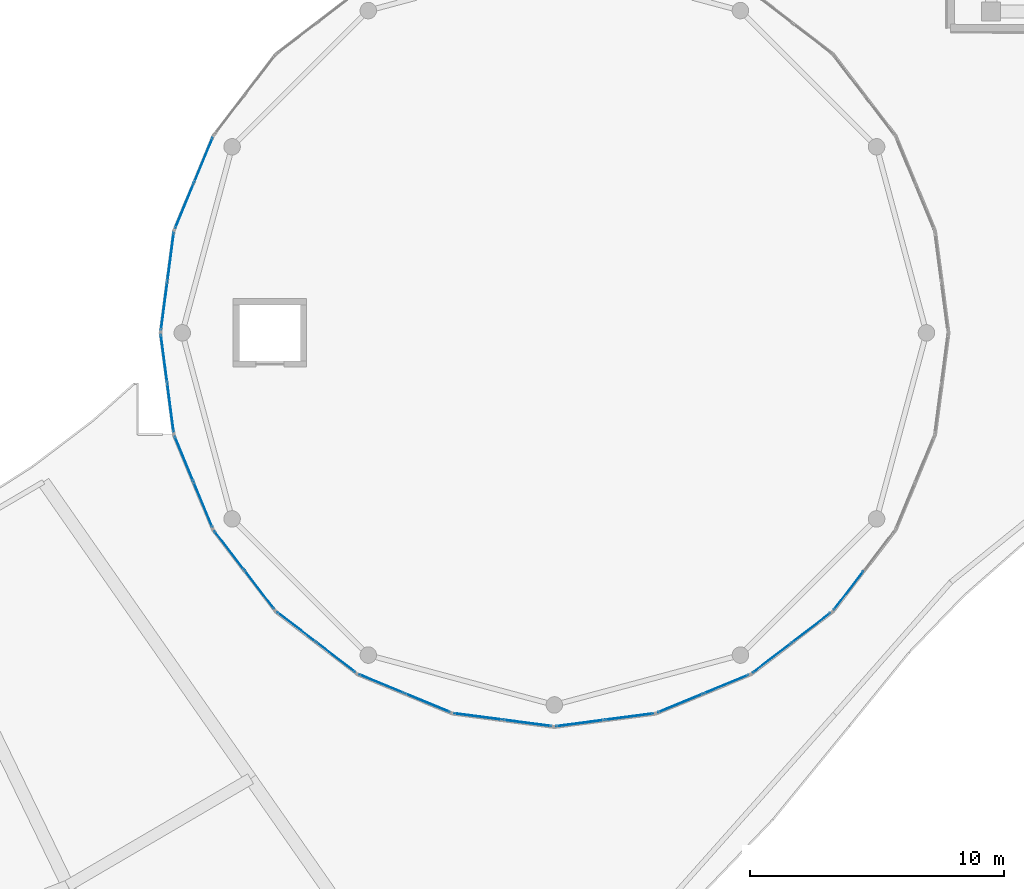
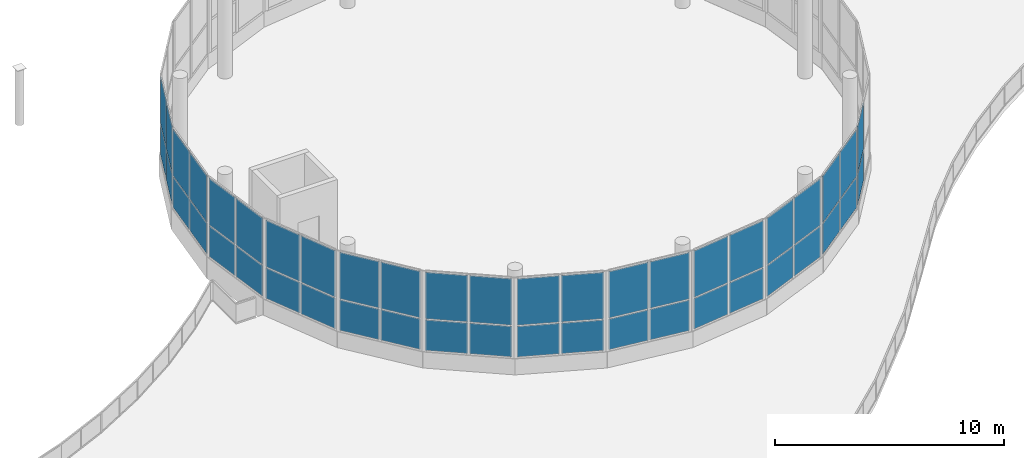
# One storey, part 73 of 101: 46 plates, 12 elements without a shape of their own.
"""IFC4 building model written with IfcOpenShell, lengths in metres."""

from ifc_helpers import new_model, si_unit, direction, frame, origin, origin_2d, place, context, subcontext, project, spatial, rectangle, extrude, material, layer, layer_set, type_object, element, aggregate, save


model = new_model("IFC4")

# Units and contexts
model_context = context("Model", 3, precision=1e-05, world=origin(), true_north=direction((0.0, 1.0)))
body_context = subcontext(model_context, "Body", "Model", "MODEL_VIEW")
ifc_project = project(units=[si_unit("LENGTHUNIT", "METRE"), si_unit("AREAUNIT", "SQUARE_METRE"), si_unit("VOLUMEUNIT", "CUBIC_METRE"), si_unit("PLANEANGLEUNIT", "RADIAN"), si_unit("MASSUNIT", "GRAM", prefix="KILO")], contexts=[model_context])

# Site, building, storey
site_placement = place(None, origin())
site = spatial("IfcSite", under=ifc_project, at=site_placement, CompositionType="ELEMENT")
building_placement = place(site_placement, origin())
building = spatial("IfcBuilding", under=site, at=building_placement, Name="Selatvlak General Hospital", CompositionType="ELEMENT")
storey_placement = place(building_placement, frame((0.0, 0.0, 19.199951171875)))
storey = spatial("IfcBuildingStorey", under=building, at=storey_placement, Name="L04", CompositionType="ELEMENT", Elevation=19.199951171875)

# Curtain wall, plates
ifc_material = material(Name="Solar-control Low-E double glazing", Category="glass")
curtain_wall_type_1 = type_object("IfcCurtainWallType", Name="CW-CW-04", PredefinedType="USERDEFINED", material=ifc_material)
curtain_wall_1_placement = place(storey_placement, origin())
curtain_wall_1 = element("IfcCurtainWall", 1, at=curtain_wall_1_placement, inside=storey, type_object=curtain_wall_type_1, Name="Glazed facade curtain wall CW-L04-0521", ObjectType="STICK GLAZING WALL", PredefinedType="USERDEFINED")
ifc_layer = layer(ifc_material, 0.028076171875, Name="Solar-control Low-E double glazing", Category="glass")
ifc_layer_set = layer_set([ifc_layer], Name="Solar-control Low-E double glazing")
plate_type = type_object("IfcPlateType", Name="CWP-01", PredefinedType="CURTAIN_PANEL", material=ifc_layer_set)
plate_1_placement = place(storey_placement, frame((109.583740234375, 43.852294921875, 0.9150390625), z_axis=(0.0, 0.0, 1.0), x_axis=(-0.608918417743, -0.793232853917, 0.0)))
plate_1 = element("IfcPlate", 2, at=plate_1_placement, type_object=plate_type, Name="CW-04 panel 2.1", PredefinedType="CURTAIN_PANEL", context=body_context, shape_type="SweptSolid", body=[
    extrude(rectangle(XDim=1.885498046875, YDim=0.028076171875, at=origin_2d()), origin(), (0.0, 0.0, 1.0), 1.62744140625),
])
plate_2_placement = place(storey_placement, frame((109.583740234375, 43.852294921875, 2.607421875), z_axis=(0.0, 0.0, 1.0), x_axis=(-0.608918417743, -0.793232853917, 0.0)))
plate_2 = element("IfcPlate", 3, at=plate_2_placement, type_object=plate_type, Name="CW-04 panel 2.2", PredefinedType="CURTAIN_PANEL", context=body_context, shape_type="SweptSolid", body=[
    extrude(rectangle(XDim=1.885498046875, YDim=0.028076171875, at=origin_2d()), origin(), (0.0, 0.0, 1.0), 2.4775390625),
])
aggregate(curtain_wall_1, [plate_1, plate_2])

curtain_wall_type_2 = type_object("IfcCurtainWallType", Name="CW-CW-05", PredefinedType="USERDEFINED", material=ifc_material)
curtain_wall_2_placement = place(storey_placement, origin())
curtain_wall_2 = element("IfcCurtainWall", 4, at=curtain_wall_2_placement, inside=storey, type_object=curtain_wall_type_2, Name="Glazed facade curtain wall CW-L04-0522", ObjectType="STICK GLAZING WALL", PredefinedType="USERDEFINED")
plate_3_placement = place(storey_placement, frame((108.109619140625, 42.388427734375, 0.9150390625), z_axis=(0.0, 0.0, 1.0), x_axis=(-0.793232853917, -0.608918417743, 0.0)))
plate_3 = element("IfcPlate", 5, at=plate_3_placement, type_object=plate_type, Name="CW-05 panel 1.1", PredefinedType="CURTAIN_PANEL", context=body_context, shape_type="SweptSolid", body=[
    extrude(rectangle(XDim=1.885498046875, YDim=0.028076171875, at=origin_2d()), origin(), (0.0, 0.0, 1.0), 1.62744140625),
])
plate_4_placement = place(storey_placement, frame((108.109619140625, 42.388427734375, 2.607421875), z_axis=(0.0, 0.0, 1.0), x_axis=(-0.793232853917, -0.608918417743, 0.0)))
plate_4 = element("IfcPlate", 6, at=plate_4_placement, type_object=plate_type, Name="CW-05 panel 1.2", PredefinedType="CURTAIN_PANEL", context=body_context, shape_type="SweptSolid", body=[
    extrude(rectangle(XDim=1.885498046875, YDim=0.028076171875, at=origin_2d()), origin(), (0.0, 0.0, 1.0), 2.4775390625),
])
plate_5_placement = place(storey_placement, frame((106.5625, 41.20068359375, 0.9150390625), z_axis=(0.0, 0.0, 1.0), x_axis=(-0.793232853917, -0.608918417743, 0.0)))
plate_5 = element("IfcPlate", 7, at=plate_5_placement, type_object=plate_type, Name="CW-05 panel 2.1", PredefinedType="CURTAIN_PANEL", context=body_context, shape_type="SweptSolid", body=[
    extrude(rectangle(XDim=1.885498046875, YDim=0.028076171875, at=origin_2d()), origin(), (0.0, 0.0, 1.0), 1.62744140625),
])
plate_6_placement = place(storey_placement, frame((106.5625, 41.20068359375, 2.607421875), z_axis=(0.0, 0.0, 1.0), x_axis=(-0.793232853917, -0.608918417743, 0.0)))
plate_6 = element("IfcPlate", 8, at=plate_6_placement, type_object=plate_type, Name="CW-05 panel 2.2", PredefinedType="CURTAIN_PANEL", context=body_context, shape_type="SweptSolid", body=[
    extrude(rectangle(XDim=1.885498046875, YDim=0.028076171875, at=origin_2d()), origin(), (0.0, 0.0, 1.0), 2.4775390625),
])
aggregate(curtain_wall_2, [plate_3, plate_4, plate_5, plate_6])

curtain_wall_3_placement = place(storey_placement, origin())
curtain_wall_3 = element("IfcCurtainWall", 9, at=curtain_wall_3_placement, inside=storey, type_object=curtain_wall_type_1, Name="Glazed facade curtain wall CW-L04-0523", ObjectType="STICK GLAZING WALL", PredefinedType="USERDEFINED")
plate_7_placement = place(storey_placement, frame((104.760009765625, 40.167236328125, 0.9150390625), z_axis=(0.0, 0.0, 1.0), x_axis=(-0.923850868847, -0.382752625243, 0.0)))
plate_7 = element("IfcPlate", 10, at=plate_7_placement, type_object=plate_type, Name="CW-04 panel 1.1", PredefinedType="CURTAIN_PANEL", context=body_context, shape_type="SweptSolid", body=[
    extrude(rectangle(XDim=1.885498046875, YDim=0.028076171875, at=origin_2d()), origin(), (0.0, 0.0, 1.0), 1.62744140625),
])
plate_8_placement = place(storey_placement, frame((104.760009765625, 40.167236328125, 2.607421875), z_axis=(0.0, 0.0, 1.0), x_axis=(-0.923850868847, -0.382752625243, 0.0)))
plate_8 = element("IfcPlate", 11, at=plate_8_placement, type_object=plate_type, Name="CW-04 panel 1.2", PredefinedType="CURTAIN_PANEL", context=body_context, shape_type="SweptSolid", body=[
    extrude(rectangle(XDim=1.885498046875, YDim=0.028076171875, at=origin_2d()), origin(), (0.0, 0.0, 1.0), 2.4775390625),
])
plate_9_placement = place(storey_placement, frame((102.9580078125, 39.420654296875, 0.9150390625), z_axis=(0.0, 0.0, 1.0), x_axis=(-0.923850868847, -0.382752625243, 0.0)))
plate_9 = element("IfcPlate", 12, at=plate_9_placement, type_object=plate_type, Name="CW-04 panel 2.1", PredefinedType="CURTAIN_PANEL", context=body_context, shape_type="SweptSolid", body=[
    extrude(rectangle(XDim=1.885498046875, YDim=0.028076171875, at=origin_2d()), origin(), (0.0, 0.0, 1.0), 1.62744140625),
])
plate_10_placement = place(storey_placement, frame((102.9580078125, 39.420654296875, 2.607421875), z_axis=(0.0, 0.0, 1.0), x_axis=(-0.923850868847, -0.382752625243, 0.0)))
plate_10 = element("IfcPlate", 13, at=plate_10_placement, type_object=plate_type, Name="CW-04 panel 2.2", PredefinedType="CURTAIN_PANEL", context=body_context, shape_type="SweptSolid", body=[
    extrude(rectangle(XDim=1.885498046875, YDim=0.028076171875, at=origin_2d()), origin(), (0.0, 0.0, 1.0), 2.4775390625),
])
aggregate(curtain_wall_3, [plate_7, plate_8, plate_9, plate_10])

curtain_wall_4_placement = place(storey_placement, origin())
curtain_wall_4 = element("IfcCurtainWall", 14, at=curtain_wall_4_placement, inside=storey, type_object=curtain_wall_type_2, Name="Glazed facade curtain wall CW-L04-0524", ObjectType="STICK GLAZING WALL", PredefinedType="USERDEFINED")
plate_11_placement = place(storey_placement, frame((100.948974609375, 38.888427734375, 0.9150390625), z_axis=(0.0, 0.0, 1.0), x_axis=(-0.991433685916, -0.130611050186, 0.0)))
plate_11 = element("IfcPlate", 15, at=plate_11_placement, type_object=plate_type, Name="CW-05 panel 1.1", PredefinedType="CURTAIN_PANEL", context=body_context, shape_type="SweptSolid", body=[
    extrude(rectangle(XDim=1.885498046875, YDim=0.028076171875, at=origin_2d()), origin(), (0.0, 0.0, 1.0), 1.62744140625),
])
plate_12_placement = place(storey_placement, frame((100.948974609375, 38.888427734375, 2.607421875), z_axis=(0.0, 0.0, 1.0), x_axis=(-0.991433685916, -0.130611050186, 0.0)))
plate_12 = element("IfcPlate", 16, at=plate_12_placement, type_object=plate_type, Name="CW-05 panel 1.2", PredefinedType="CURTAIN_PANEL", context=body_context, shape_type="SweptSolid", body=[
    extrude(rectangle(XDim=1.885498046875, YDim=0.028076171875, at=origin_2d()), origin(), (0.0, 0.0, 1.0), 2.4775390625),
])
plate_13_placement = place(storey_placement, frame((99.01513671875, 38.633544921875, 0.9150390625), z_axis=(0.0, 0.0, 1.0), x_axis=(-0.991433685916, -0.130611050186, 0.0)))
plate_13 = element("IfcPlate", 17, at=plate_13_placement, type_object=plate_type, Name="CW-05 panel 2.1", PredefinedType="CURTAIN_PANEL", context=body_context, shape_type="SweptSolid", body=[
    extrude(rectangle(XDim=1.885498046875, YDim=0.028076171875, at=origin_2d()), origin(), (0.0, 0.0, 1.0), 1.62744140625),
])
plate_14_placement = place(storey_placement, frame((99.01513671875, 38.633544921875, 2.607421875), z_axis=(0.0, 0.0, 1.0), x_axis=(-0.991433685916, -0.130611050186, 0.0)))
plate_14 = element("IfcPlate", 18, at=plate_14_placement, type_object=plate_type, Name="CW-05 panel 2.2", PredefinedType="CURTAIN_PANEL", context=body_context, shape_type="SweptSolid", body=[
    extrude(rectangle(XDim=1.885498046875, YDim=0.028076171875, at=origin_2d()), origin(), (0.0, 0.0, 1.0), 2.4775390625),
])
aggregate(curtain_wall_4, [plate_11, plate_12, plate_13, plate_14])

curtain_wall_5_placement = place(storey_placement, origin())
curtain_wall_5 = element("IfcCurtainWall", 19, at=curtain_wall_5_placement, inside=storey, type_object=curtain_wall_type_1, Name="Glazed facade curtain wall CW-L04-0525", ObjectType="STICK GLAZING WALL", PredefinedType="USERDEFINED")
plate_15_placement = place(storey_placement, frame((96.936767578125, 38.640380859375, 0.9150390625), z_axis=(0.0, 0.0, 1.0), x_axis=(-0.991466306804, 0.130363194467, 0.0)))
plate_15 = element("IfcPlate", 20, at=plate_15_placement, type_object=plate_type, Name="CW-04 panel 1.1", PredefinedType="CURTAIN_PANEL", context=body_context, shape_type="SweptSolid", body=[
    extrude(rectangle(XDim=1.885498046875, YDim=0.028076171875, at=origin_2d()), origin(), (0.0, 0.0, 1.0), 1.62744140625),
])
plate_16_placement = place(storey_placement, frame((96.936767578125, 38.640380859375, 2.607421875), z_axis=(0.0, 0.0, 1.0), x_axis=(-0.991466306804, 0.130363194467, 0.0)))
plate_16 = element("IfcPlate", 21, at=plate_16_placement, type_object=plate_type, Name="CW-04 panel 1.2", PredefinedType="CURTAIN_PANEL", context=body_context, shape_type="SweptSolid", body=[
    extrude(rectangle(XDim=1.885498046875, YDim=0.028076171875, at=origin_2d()), origin(), (0.0, 0.0, 1.0), 2.4775390625),
])
plate_17_placement = place(storey_placement, frame((95.003173828125, 38.89453125, 0.9150390625), z_axis=(0.0, 0.0, 1.0), x_axis=(-0.991466306804, 0.130363194467, 0.0)))
plate_17 = element("IfcPlate", 22, at=plate_17_placement, type_object=plate_type, Name="CW-04 panel 2.1", PredefinedType="CURTAIN_PANEL", context=body_context, shape_type="SweptSolid", body=[
    extrude(rectangle(XDim=1.885498046875, YDim=0.028076171875, at=origin_2d()), origin(), (0.0, 0.0, 1.0), 1.62744140625),
])
plate_18_placement = place(storey_placement, frame((95.003173828125, 38.89453125, 2.607421875), z_axis=(0.0, 0.0, 1.0), x_axis=(-0.991466306804, 0.130363194467, 0.0)))
plate_18 = element("IfcPlate", 23, at=plate_18_placement, type_object=plate_type, Name="CW-04 panel 2.2", PredefinedType="CURTAIN_PANEL", context=body_context, shape_type="SweptSolid", body=[
    extrude(rectangle(XDim=1.885498046875, YDim=0.028076171875, at=origin_2d()), origin(), (0.0, 0.0, 1.0), 2.4775390625),
])
aggregate(curtain_wall_5, [plate_15, plate_16, plate_17, plate_18])

curtain_wall_6_placement = place(storey_placement, origin())
curtain_wall_6 = element("IfcCurtainWall", 24, at=curtain_wall_6_placement, inside=storey, type_object=curtain_wall_type_2, Name="Glazed facade curtain wall CW-L04-0526", ObjectType="STICK GLAZING WALL", PredefinedType="USERDEFINED")
plate_19_placement = place(storey_placement, frame((92.998046875, 39.4384765625, 0.9150390625), z_axis=(0.0, 0.0, 1.0), x_axis=(-0.92394001164, 0.382537390187, 0.0)))
plate_19 = element("IfcPlate", 25, at=plate_19_placement, type_object=plate_type, Name="CW-05 panel 1.1", PredefinedType="CURTAIN_PANEL", context=body_context, shape_type="SweptSolid", body=[
    extrude(rectangle(XDim=1.88525390625, YDim=0.028076171875, at=origin_2d()), origin(), (0.0, 0.0, 1.0), 1.62744140625),
])
plate_20_placement = place(storey_placement, frame((92.998046875, 39.4384765625, 2.607421875), z_axis=(0.0, 0.0, 1.0), x_axis=(-0.92394001164, 0.382537390187, 0.0)))
plate_20 = element("IfcPlate", 26, at=plate_20_placement, type_object=plate_type, Name="CW-05 panel 1.2", PredefinedType="CURTAIN_PANEL", context=body_context, shape_type="SweptSolid", body=[
    extrude(rectangle(XDim=1.88525390625, YDim=0.028076171875, at=origin_2d()), origin(), (0.0, 0.0, 1.0), 2.4775390625),
])
plate_21_placement = place(storey_placement, frame((91.196044921875, 40.1845703125, 0.9150390625), z_axis=(0.0, 0.0, 1.0), x_axis=(-0.92394001164, 0.382537390187, 0.0)))
plate_21 = element("IfcPlate", 27, at=plate_21_placement, type_object=plate_type, Name="CW-05 panel 2.1", PredefinedType="CURTAIN_PANEL", context=body_context, shape_type="SweptSolid", body=[
    extrude(rectangle(XDim=1.88525390625, YDim=0.028076171875, at=origin_2d()), origin(), (0.0, 0.0, 1.0), 1.62744140625),
])
plate_22_placement = place(storey_placement, frame((91.196044921875, 40.1845703125, 2.607421875), z_axis=(0.0, 0.0, 1.0), x_axis=(-0.92394001164, 0.382537390187, 0.0)))
plate_22 = element("IfcPlate", 28, at=plate_22_placement, type_object=plate_type, Name="CW-05 panel 2.2", PredefinedType="CURTAIN_PANEL", context=body_context, shape_type="SweptSolid", body=[
    extrude(rectangle(XDim=1.88525390625, YDim=0.028076171875, at=origin_2d()), origin(), (0.0, 0.0, 1.0), 2.4775390625),
])
aggregate(curtain_wall_6, [plate_19, plate_20, plate_21, plate_22])

curtain_wall_7_placement = place(storey_placement, origin())
curtain_wall_7 = element("IfcCurtainWall", 29, at=curtain_wall_7_placement, inside=storey, type_object=curtain_wall_type_1, Name="Glazed facade curtain wall CW-L04-0527", ObjectType="STICK GLAZING WALL", PredefinedType="USERDEFINED")
plate_23_placement = place(storey_placement, frame((89.399658203125, 41.228759765625, 0.9150390625), z_axis=(0.0, 0.0, 1.0), x_axis=(-0.793232853917, 0.608918417743, 0.0)))
plate_23 = element("IfcPlate", 30, at=plate_23_placement, type_object=plate_type, Name="CW-04 panel 1.1", PredefinedType="CURTAIN_PANEL", context=body_context, shape_type="SweptSolid", body=[
    extrude(rectangle(XDim=1.885498046875, YDim=0.028076171875, at=origin_2d()), origin(), (0.0, 0.0, 1.0), 1.62744140625),
])
plate_24_placement = place(storey_placement, frame((89.399658203125, 41.228759765625, 2.607421875), z_axis=(0.0, 0.0, 1.0), x_axis=(-0.793232853917, 0.608918417743, 0.0)))
plate_24 = element("IfcPlate", 31, at=plate_24_placement, type_object=plate_type, Name="CW-04 panel 1.2", PredefinedType="CURTAIN_PANEL", context=body_context, shape_type="SweptSolid", body=[
    extrude(rectangle(XDim=1.885498046875, YDim=0.028076171875, at=origin_2d()), origin(), (0.0, 0.0, 1.0), 2.4775390625),
])
plate_25_placement = place(storey_placement, frame((87.852294921875, 42.416259765625, 0.9150390625), z_axis=(0.0, 0.0, 1.0), x_axis=(-0.793232853917, 0.608918417743, 0.0)))
plate_25 = element("IfcPlate", 32, at=plate_25_placement, type_object=plate_type, Name="CW-04 panel 2.1", PredefinedType="CURTAIN_PANEL", context=body_context, shape_type="SweptSolid", body=[
    extrude(rectangle(XDim=1.885498046875, YDim=0.028076171875, at=origin_2d()), origin(), (0.0, 0.0, 1.0), 1.62744140625),
])
plate_26_placement = place(storey_placement, frame((87.852294921875, 42.416259765625, 2.607421875), z_axis=(0.0, 0.0, 1.0), x_axis=(-0.793232853917, 0.608918417743, 0.0)))
plate_26 = element("IfcPlate", 33, at=plate_26_placement, type_object=plate_type, Name="CW-04 panel 2.2", PredefinedType="CURTAIN_PANEL", context=body_context, shape_type="SweptSolid", body=[
    extrude(rectangle(XDim=1.885498046875, YDim=0.028076171875, at=origin_2d()), origin(), (0.0, 0.0, 1.0), 2.4775390625),
])
aggregate(curtain_wall_7, [plate_23, plate_24, plate_25, plate_26])

curtain_wall_8_placement = place(storey_placement, origin())
curtain_wall_8 = element("IfcCurtainWall", 34, at=curtain_wall_8_placement, inside=storey, type_object=curtain_wall_type_2, Name="Glazed facade curtain wall CW-L04-0528", ObjectType="STICK GLAZING WALL", PredefinedType="USERDEFINED")
plate_27_placement = place(storey_placement, frame((86.388427734375, 43.890380859375, 0.9150390625), z_axis=(0.0, 0.0, 1.0), x_axis=(-0.608918417743, 0.793232853917, 0.0)))
plate_27 = element("IfcPlate", 35, at=plate_27_placement, type_object=plate_type, Name="CW-05 panel 1.1", PredefinedType="CURTAIN_PANEL", context=body_context, shape_type="SweptSolid", body=[
    extrude(rectangle(XDim=1.885498046875, YDim=0.028076171875, at=origin_2d()), origin(), (0.0, 0.0, 1.0), 1.62744140625),
])
plate_28_placement = place(storey_placement, frame((86.388427734375, 43.890380859375, 2.607421875), z_axis=(0.0, 0.0, 1.0), x_axis=(-0.608918417743, 0.793232853917, 0.0)))
plate_28 = element("IfcPlate", 36, at=plate_28_placement, type_object=plate_type, Name="CW-05 panel 1.2", PredefinedType="CURTAIN_PANEL", context=body_context, shape_type="SweptSolid", body=[
    extrude(rectangle(XDim=1.885498046875, YDim=0.028076171875, at=origin_2d()), origin(), (0.0, 0.0, 1.0), 2.4775390625),
])
plate_29_placement = place(storey_placement, frame((85.20068359375, 45.4375, 0.9150390625), z_axis=(0.0, 0.0, 1.0), x_axis=(-0.608918417743, 0.793232853917, 0.0)))
plate_29 = element("IfcPlate", 37, at=plate_29_placement, type_object=plate_type, Name="CW-05 panel 2.1", PredefinedType="CURTAIN_PANEL", context=body_context, shape_type="SweptSolid", body=[
    extrude(rectangle(XDim=1.885498046875, YDim=0.028076171875, at=origin_2d()), origin(), (0.0, 0.0, 1.0), 1.62744140625),
])
plate_30_placement = place(storey_placement, frame((85.20068359375, 45.4375, 2.607421875), z_axis=(0.0, 0.0, 1.0), x_axis=(-0.608918417743, 0.793232853917, 0.0)))
plate_30 = element("IfcPlate", 38, at=plate_30_placement, type_object=plate_type, Name="CW-05 panel 2.2", PredefinedType="CURTAIN_PANEL", context=body_context, shape_type="SweptSolid", body=[
    extrude(rectangle(XDim=1.885498046875, YDim=0.028076171875, at=origin_2d()), origin(), (0.0, 0.0, 1.0), 2.4775390625),
])
aggregate(curtain_wall_8, [plate_27, plate_28, plate_29, plate_30])

curtain_wall_9_placement = place(storey_placement, origin())
curtain_wall_9 = element("IfcCurtainWall", 39, at=curtain_wall_9_placement, inside=storey, type_object=curtain_wall_type_1, Name="Glazed facade curtain wall CW-L04-0529", ObjectType="STICK GLAZING WALL", PredefinedType="USERDEFINED")
plate_31_placement = place(storey_placement, frame((84.167236328125, 47.239990234375, 0.9150390625), z_axis=(0.0, 0.0, 1.0), x_axis=(-0.382752625243, 0.923850868847, 0.0)))
plate_31 = element("IfcPlate", 40, at=plate_31_placement, type_object=plate_type, Name="CW-04 panel 1.1", PredefinedType="CURTAIN_PANEL", context=body_context, shape_type="SweptSolid", body=[
    extrude(rectangle(XDim=1.885498046875, YDim=0.028076171875, at=origin_2d()), origin(), (0.0, 0.0, 1.0), 1.62744140625),
])
plate_32_placement = place(storey_placement, frame((84.167236328125, 47.239990234375, 2.607421875), z_axis=(0.0, 0.0, 1.0), x_axis=(-0.382752625243, 0.923850868847, 0.0)))
plate_32 = element("IfcPlate", 41, at=plate_32_placement, type_object=plate_type, Name="CW-04 panel 1.2", PredefinedType="CURTAIN_PANEL", context=body_context, shape_type="SweptSolid", body=[
    extrude(rectangle(XDim=1.885498046875, YDim=0.028076171875, at=origin_2d()), origin(), (0.0, 0.0, 1.0), 2.4775390625),
])
plate_33_placement = place(storey_placement, frame((83.420654296875, 49.0419921875, 0.9150390625), z_axis=(0.0, 0.0, 1.0), x_axis=(-0.382752625243, 0.923850868847, 0.0)))
plate_33 = element("IfcPlate", 42, at=plate_33_placement, type_object=plate_type, Name="CW-04 panel 2.1", PredefinedType="CURTAIN_PANEL", context=body_context, shape_type="SweptSolid", body=[
    extrude(rectangle(XDim=1.885498046875, YDim=0.028076171875, at=origin_2d()), origin(), (0.0, 0.0, 1.0), 1.62744140625),
])
plate_34_placement = place(storey_placement, frame((83.420654296875, 49.0419921875, 2.607421875), z_axis=(0.0, 0.0, 1.0), x_axis=(-0.382752625243, 0.923850868847, 0.0)))
plate_34 = element("IfcPlate", 43, at=plate_34_placement, type_object=plate_type, Name="CW-04 panel 2.2", PredefinedType="CURTAIN_PANEL", context=body_context, shape_type="SweptSolid", body=[
    extrude(rectangle(XDim=1.885498046875, YDim=0.028076171875, at=origin_2d()), origin(), (0.0, 0.0, 1.0), 2.4775390625),
])
aggregate(curtain_wall_9, [plate_31, plate_32, plate_33, plate_34])

curtain_wall_10_placement = place(storey_placement, origin())
curtain_wall_10 = element("IfcCurtainWall", 44, at=curtain_wall_10_placement, inside=storey, type_object=curtain_wall_type_2, Name="Glazed facade curtain wall CW-L04-0530", ObjectType="STICK GLAZING WALL", PredefinedType="USERDEFINED")
plate_35_placement = place(storey_placement, frame((82.888427734375, 51.051025390625, 0.9150390625), z_axis=(0.0, 0.0, 1.0), x_axis=(-0.130611050186, 0.991433685916, 0.0)))
plate_35 = element("IfcPlate", 45, at=plate_35_placement, type_object=plate_type, Name="CW-05 panel 1.1", PredefinedType="CURTAIN_PANEL", context=body_context, shape_type="SweptSolid", body=[
    extrude(rectangle(XDim=1.885498046875, YDim=0.028076171875, at=origin_2d()), origin(), (0.0, 0.0, 1.0), 1.62744140625),
])
plate_36_placement = place(storey_placement, frame((82.888427734375, 51.051025390625, 2.607421875), z_axis=(0.0, 0.0, 1.0), x_axis=(-0.130611050186, 0.991433685916, 0.0)))
plate_36 = element("IfcPlate", 46, at=plate_36_placement, type_object=plate_type, Name="CW-05 panel 1.2", PredefinedType="CURTAIN_PANEL", context=body_context, shape_type="SweptSolid", body=[
    extrude(rectangle(XDim=1.885498046875, YDim=0.028076171875, at=origin_2d()), origin(), (0.0, 0.0, 1.0), 2.4775390625),
])
plate_37_placement = place(storey_placement, frame((82.633544921875, 52.98486328125, 0.9150390625), z_axis=(0.0, 0.0, 1.0), x_axis=(-0.130611050186, 0.991433685916, 0.0)))
plate_37 = element("IfcPlate", 47, at=plate_37_placement, type_object=plate_type, Name="CW-05 panel 2.1", PredefinedType="CURTAIN_PANEL", context=body_context, shape_type="SweptSolid", body=[
    extrude(rectangle(XDim=1.885498046875, YDim=0.028076171875, at=origin_2d()), origin(), (0.0, 0.0, 1.0), 1.62744140625),
])
plate_38_placement = place(storey_placement, frame((82.633544921875, 52.98486328125, 2.607421875), z_axis=(0.0, 0.0, 1.0), x_axis=(-0.130611050186, 0.991433685916, 0.0)))
plate_38 = element("IfcPlate", 48, at=plate_38_placement, type_object=plate_type, Name="CW-05 panel 2.2", PredefinedType="CURTAIN_PANEL", context=body_context, shape_type="SweptSolid", body=[
    extrude(rectangle(XDim=1.885498046875, YDim=0.028076171875, at=origin_2d()), origin(), (0.0, 0.0, 1.0), 2.4775390625),
])
aggregate(curtain_wall_10, [plate_35, plate_36, plate_37, plate_38])

curtain_wall_11_placement = place(storey_placement, origin())
curtain_wall_11 = element("IfcCurtainWall", 49, at=curtain_wall_11_placement, inside=storey, type_object=curtain_wall_type_1, Name="Glazed facade curtain wall CW-L04-0531", ObjectType="STICK GLAZING WALL", PredefinedType="USERDEFINED")
plate_39_placement = place(storey_placement, frame((82.640380859375, 55.063232421875, 0.9150390625), z_axis=(0.0, 0.0, 1.0), x_axis=(0.130363194467, 0.991466306804, 0.0)))
plate_39 = element("IfcPlate", 50, at=plate_39_placement, type_object=plate_type, Name="CW-04 panel 1.1", PredefinedType="CURTAIN_PANEL", context=body_context, shape_type="SweptSolid", body=[
    extrude(rectangle(XDim=1.885498046875, YDim=0.028076171875, at=origin_2d()), origin(), (0.0, 0.0, 1.0), 1.62744140625),
])
plate_40_placement = place(storey_placement, frame((82.640380859375, 55.063232421875, 2.607421875), z_axis=(0.0, 0.0, 1.0), x_axis=(0.130363194467, 0.991466306804, 0.0)))
plate_40 = element("IfcPlate", 51, at=plate_40_placement, type_object=plate_type, Name="CW-04 panel 1.2", PredefinedType="CURTAIN_PANEL", context=body_context, shape_type="SweptSolid", body=[
    extrude(rectangle(XDim=1.885498046875, YDim=0.028076171875, at=origin_2d()), origin(), (0.0, 0.0, 1.0), 2.4775390625),
])
plate_41_placement = place(storey_placement, frame((82.89453125, 56.996826171875, 0.9150390625), z_axis=(0.0, 0.0, 1.0), x_axis=(0.130363194467, 0.991466306804, 0.0)))
plate_41 = element("IfcPlate", 52, at=plate_41_placement, type_object=plate_type, Name="CW-04 panel 2.1", PredefinedType="CURTAIN_PANEL", context=body_context, shape_type="SweptSolid", body=[
    extrude(rectangle(XDim=1.885498046875, YDim=0.028076171875, at=origin_2d()), origin(), (0.0, 0.0, 1.0), 1.62744140625),
])
plate_42_placement = place(storey_placement, frame((82.89453125, 56.996826171875, 2.607421875), z_axis=(0.0, 0.0, 1.0), x_axis=(0.130363194467, 0.991466306804, 0.0)))
plate_42 = element("IfcPlate", 53, at=plate_42_placement, type_object=plate_type, Name="CW-04 panel 2.2", PredefinedType="CURTAIN_PANEL", context=body_context, shape_type="SweptSolid", body=[
    extrude(rectangle(XDim=1.885498046875, YDim=0.028076171875, at=origin_2d()), origin(), (0.0, 0.0, 1.0), 2.4775390625),
])
aggregate(curtain_wall_11, [plate_39, plate_40, plate_41, plate_42])

curtain_wall_12_placement = place(storey_placement, origin())
curtain_wall_12 = element("IfcCurtainWall", 54, at=curtain_wall_12_placement, inside=storey, type_object=curtain_wall_type_2, Name="Glazed facade curtain wall CW-L04-0532", ObjectType="STICK GLAZING WALL", PredefinedType="USERDEFINED")
plate_43_placement = place(storey_placement, frame((83.4384765625, 59.001953125, 0.9150390625), z_axis=(0.0, 0.0, 1.0), x_axis=(0.382537390187, 0.92394001164, 0.0)))
plate_43 = element("IfcPlate", 55, at=plate_43_placement, type_object=plate_type, Name="CW-05 panel 1.1", PredefinedType="CURTAIN_PANEL", context=body_context, shape_type="SweptSolid", body=[
    extrude(rectangle(XDim=1.88525390625, YDim=0.028076171875, at=origin_2d()), origin(), (0.0, 0.0, 1.0), 1.62744140625),
])
plate_44_placement = place(storey_placement, frame((83.4384765625, 59.001953125, 2.607421875), z_axis=(0.0, 0.0, 1.0), x_axis=(0.382537390187, 0.92394001164, 0.0)))
plate_44 = element("IfcPlate", 56, at=plate_44_placement, type_object=plate_type, Name="CW-05 panel 1.2", PredefinedType="CURTAIN_PANEL", context=body_context, shape_type="SweptSolid", body=[
    extrude(rectangle(XDim=1.88525390625, YDim=0.028076171875, at=origin_2d()), origin(), (0.0, 0.0, 1.0), 2.4775390625),
])
plate_45_placement = place(storey_placement, frame((84.1845703125, 60.803955078125, 0.9150390625), z_axis=(0.0, 0.0, 1.0), x_axis=(0.382537390187, 0.92394001164, 0.0)))
plate_45 = element("IfcPlate", 57, at=plate_45_placement, type_object=plate_type, Name="CW-05 panel 2.1", PredefinedType="CURTAIN_PANEL", context=body_context, shape_type="SweptSolid", body=[
    extrude(rectangle(XDim=1.88525390625, YDim=0.028076171875, at=origin_2d()), origin(), (0.0, 0.0, 1.0), 1.62744140625),
])
plate_46_placement = place(storey_placement, frame((84.1845703125, 60.803955078125, 2.607421875), z_axis=(0.0, 0.0, 1.0), x_axis=(0.382537390187, 0.92394001164, 0.0)))
plate_46 = element("IfcPlate", 58, at=plate_46_placement, type_object=plate_type, Name="CW-05 panel 2.2", PredefinedType="CURTAIN_PANEL", context=body_context, shape_type="SweptSolid", body=[
    extrude(rectangle(XDim=1.88525390625, YDim=0.028076171875, at=origin_2d()), origin(), (0.0, 0.0, 1.0), 2.4775390625),
])
aggregate(curtain_wall_12, [plate_43, plate_44, plate_45, plate_46])

save(model, "model.ifc")
